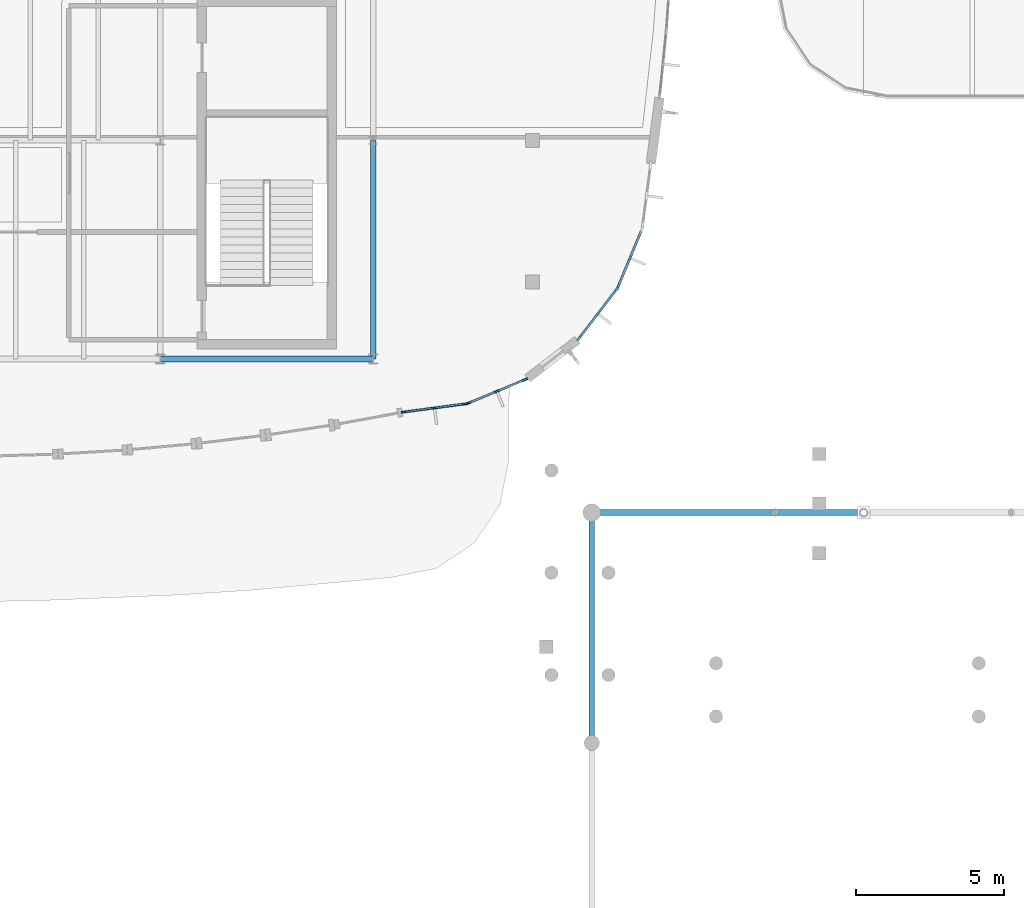
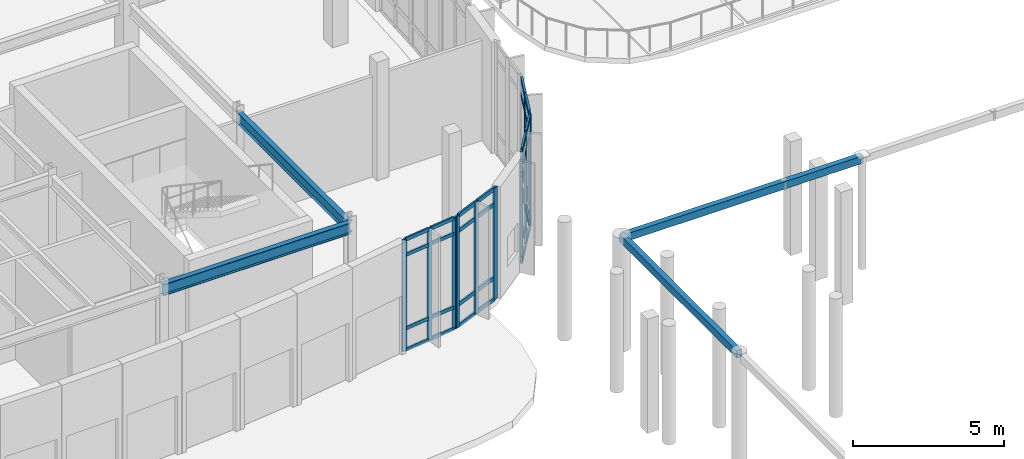
# One storey, part 41 of 120: 43 members, 4 beams, 4 elements without a shape of their own.
"""IFC4 building model written with IfcOpenShell, lengths in metres."""

from ifc_helpers import new_model, si_unit, direction, frame, origin, origin_2d, place, context, subcontext, project, spatial, rectangle, hollow_rectangle, i_section, extrude, material, material_profile, profile_set, type_object, element, aggregate, save


model = new_model("IFC4")

# Units and contexts
model_context = context("Model", 3, precision=1e-05, world=origin(), true_north=direction((0.0, 1.0)))
body_context = subcontext(model_context, "Body", "Model", "MODEL_VIEW")
ifc_project = project(units=[si_unit("LENGTHUNIT", "METRE"), si_unit("AREAUNIT", "SQUARE_METRE"), si_unit("VOLUMEUNIT", "CUBIC_METRE"), si_unit("PLANEANGLEUNIT", "RADIAN"), si_unit("MASSUNIT", "GRAM", prefix="KILO")], contexts=[model_context])

# Site, building, storey
site_placement = place(None, origin())
site = spatial("IfcSite", under=ifc_project, at=site_placement, CompositionType="ELEMENT")
building_placement = place(site_placement, origin())
building = spatial("IfcBuilding", under=site, at=building_placement, Name="Corveleigh Park Community Centre", CompositionType="ELEMENT")
storey_placement = place(building_placement, origin())
storey = spatial("IfcBuildingStorey", under=building, at=storey_placement, Name="L00", CompositionType="ELEMENT", Elevation=0.0)

# Beams
ifc_material_1 = material(Name="Steel S355", Category="steel")
ifc_material_profile_1 = material_profile(ifc_material_1, i_section(OverallWidth=0.1904296875, OverallDepth=0.45703125, WebThickness=0.009033203125, FlangeThickness=0.014404296875, at=origin_2d()), Name="UKB 457x191x74", Category="steel")
ifc_profile_set_1 = profile_set([ifc_material_profile_1], Name="Steel S355")
beam_type_1 = type_object("IfcBeamType", Name="BM-STL-UKB457x74", PredefinedType="BEAM", material=ifc_profile_set_1)
beam_1_placement = place(storey_placement, frame((46.39990234375, 78.0048828125, 4.298583984375), z_axis=(0.0, 1.0, 0.0), x_axis=(-1.0, 0.0, 0.0)))
element("IfcBeam", 1, at=beam_1_placement, inside=storey, type_object=beam_type_1, Name="V2 Studio Girder Y", PredefinedType="BEAM", context=body_context, shape_type="SweptSolid", body=[
    extrude(i_section(OverallWidth=0.1904296875, OverallDepth=0.45703125, WebThickness=0.009033203125, FlangeThickness=0.014404296875, at=origin_2d()), origin(), (0.0, 0.0, 1.0), 7.39013671875),
])
ifc_material_profile_2 = material_profile(ifc_material_1, i_section(OverallWidth=0.19140625, OverallDepth=0.4599609375, WebThickness=0.010009765625, FlangeThickness=0.01611328125, at=origin_2d()), Name="UKB 457x191x82", Category="steel")
ifc_profile_set_2 = profile_set([ifc_material_profile_2], Name="Steel S355")
beam_type_2 = type_object("IfcBeamType", Name="BM-STL-UKB457x82", PredefinedType="BEAM", material=ifc_profile_set_2)
beam_2_placement = place(storey_placement, frame((39.205078125, 78.0, 4.297119140625), z_axis=(1.0, 0.0, 0.0), x_axis=(0.0, 1.0, 0.0)))
element("IfcBeam", 2, at=beam_2_placement, inside=storey, type_object=beam_type_2, Name="V2 Studio Girder X", PredefinedType="BEAM", context=body_context, shape_type="SweptSolid", body=[
    extrude(i_section(OverallWidth=0.19140625, OverallDepth=0.4599609375, WebThickness=0.010009765625, FlangeThickness=0.01611328125, at=origin_2d()), origin(), (0.0, 0.0, 1.0), 7.18994140625),
])

# Curtain wall, members
ifc_material_2 = material(Name="Anodised aluminium 6063-T6", Category="aluminium")
curtain_wall_type = type_object("IfcCurtainWallType", Name="CW-SYS-V2-L00", PredefinedType="NOTDEFINED", material=ifc_material_2)
curtain_wall_1_placement = place(storey_placement, origin())
curtain_wall_1 = element("IfcCurtainWall", 3, at=curtain_wall_1_placement, inside=storey, type_object=curtain_wall_type, Name="V2 L00 Curtain Wall 32", PredefinedType="NOTDEFINED")
ifc_material_profile_3 = material_profile(ifc_material_2, rectangle(XDim=0.06494140625, YDim=0.179931640625, at=origin_2d()), Name="ALU-M65x180", Category="aluminium")
ifc_profile_set_3 = profile_set([ifc_material_profile_3], Name="Anodised aluminium 6063-T6")
member_type_1 = type_object("IfcMemberType", Name="CWM-65x180", PredefinedType="MULLION", material=ifc_profile_set_3)
member_1_placement = place(storey_placement, frame((49.509765625, 76.477783203125, 0.0), z_axis=(0.0, 0.0, 1.0), x_axis=(0.130731305458, -0.991417836118, 0.0)))
member_1 = element("IfcMember", 4, at=member_1_placement, type_object=member_type_1, Name="CW03 mullion 1", PredefinedType="MULLION", context=body_context, shape_type="SweptSolid", body=[
    extrude(rectangle(XDim=0.06494140625, YDim=0.179931640625, at=origin_2d()), origin(), (0.0, 0.0, 1.0), 4.527099609375),
])
member_2_placement = place(storey_placement, frame((48.4765625, 76.341552734375, 0.0), z_axis=(0.0, 0.0, 1.0), x_axis=(0.130731305458, -0.991417836118, 0.0)))
member_2 = element("IfcMember", 5, at=member_2_placement, type_object=member_type_1, Name="CW03 mullion 2", PredefinedType="MULLION", context=body_context, shape_type="SweptSolid", body=[
    extrude(rectangle(XDim=0.06494140625, YDim=0.179931640625, at=origin_2d()), origin(), (0.0, 0.0, 1.0), 4.527099609375),
])
member_3_placement = place(storey_placement, frame((47.443115234375, 76.205322265625, 0.0), z_axis=(0.0, 0.0, 1.0), x_axis=(0.130731305458, -0.991417836118, 0.0)))
member_3 = element("IfcMember", 6, at=member_3_placement, type_object=member_type_1, Name="CW03 mullion 3", PredefinedType="MULLION", context=body_context, shape_type="SweptSolid", body=[
    extrude(rectangle(XDim=0.06494140625, YDim=0.179931640625, at=origin_2d()), origin(), (0.0, 0.0, 1.0), 4.527099609375),
])

curtain_wall_2_placement = place(storey_placement, origin())
curtain_wall_2 = element("IfcCurtainWall", 7, at=curtain_wall_2_placement, inside=storey, type_object=curtain_wall_type, Name="V2 L00 Curtain Wall 33", PredefinedType="NOTDEFINED")
ifc_material_profile_4 = material_profile(ifc_material_2, rectangle(XDim=0.070068359375, YDim=0.199951171875, at=origin_2d()), Name="ALU-M70x200", Category="aluminium")
ifc_profile_set_4 = profile_set([ifc_material_profile_4], Name="Anodised aluminium 6063-T6")
member_type_2 = type_object("IfcMemberType", Name="CWM-70x200", PredefinedType="MULLION", material=ifc_profile_set_4)
member_4_placement = place(storey_placement, frame((51.53759765625, 77.299560546875, 0.0), z_axis=(0.0, 0.0, 1.0), x_axis=(0.382946568059, -0.923770494231, 0.0)))
member_4 = element("IfcMember", 8, at=member_4_placement, type_object=member_type_2, Name="CW03 mullion 1", PredefinedType="MULLION", context=body_context, shape_type="SweptSolid", body=[
    extrude(rectangle(XDim=0.070068359375, YDim=0.199951171875, at=origin_2d()), origin(), (0.0, 0.0, 1.0), 4.527099609375),
])
member_5_placement = place(storey_placement, frame((50.5869140625, 76.905517578125, 0.0), z_axis=(0.0, 0.0, 1.0), x_axis=(0.382946568059, -0.923770494231, 0.0)))
member_5 = element("IfcMember", 9, at=member_5_placement, type_object=member_type_2, Name="CW03 mullion 2", PredefinedType="MULLION", context=body_context, shape_type="SweptSolid", body=[
    extrude(rectangle(XDim=0.070068359375, YDim=0.199951171875, at=origin_2d()), origin(), (0.0, 0.0, 1.0), 4.527099609375),
])
member_6_placement = place(storey_placement, frame((49.63623046875, 76.511474609375, 0.0), z_axis=(0.0, 0.0, 1.0), x_axis=(0.382946568059, -0.923770494231, 0.0)))
member_6 = element("IfcMember", 10, at=member_6_placement, type_object=member_type_2, Name="CW03 mullion 3", PredefinedType="MULLION", context=body_context, shape_type="SweptSolid", body=[
    extrude(rectangle(XDim=0.070068359375, YDim=0.199951171875, at=origin_2d()), origin(), (0.0, 0.0, 1.0), 4.527099609375),
])

curtain_wall_3_placement = place(storey_placement, origin())
curtain_wall_3 = element("IfcCurtainWall", 11, at=curtain_wall_3_placement, inside=storey, type_object=curtain_wall_type, Name="V2 L00 Curtain Wall 34", PredefinedType="NOTDEFINED")
ifc_material_profile_5 = material_profile(ifc_material_2, rectangle(XDim=0.074951171875, YDim=0.219970703125, at=origin_2d()), Name="ALU-M75x220", Category="aluminium")
ifc_profile_set_5 = profile_set([ifc_material_profile_5], Name="Anodised aluminium 6063-T6")
member_type_3 = type_object("IfcMemberType", Name="CWM-75x220", PredefinedType="MULLION", material=ifc_profile_set_5)
member_7_placement = place(storey_placement, frame((54.633056640625, 80.34521484375, 0.0), z_axis=(0.0, 0.0, 1.0), x_axis=(0.793304053581, -0.608825655317, 0.0)))
member_7 = element("IfcMember", 12, at=member_7_placement, type_object=member_type_3, Name="CW03 mullion 1", PredefinedType="MULLION", context=body_context, shape_type="SweptSolid", body=[
    extrude(rectangle(XDim=0.074951171875, YDim=0.219970703125, at=origin_2d()), origin(), (0.0, 0.0, 1.0), 4.527099609375),
])
member_8_placement = place(storey_placement, frame((54.007568359375, 79.530029296875, 0.0), z_axis=(0.0, 0.0, 1.0), x_axis=(0.793304053581, -0.608825655317, 0.0)))
member_8 = element("IfcMember", 13, at=member_8_placement, type_object=member_type_3, Name="CW03 mullion 2", PredefinedType="MULLION", context=body_context, shape_type="SweptSolid", body=[
    extrude(rectangle(XDim=0.074951171875, YDim=0.219970703125, at=origin_2d()), origin(), (0.0, 0.0, 1.0), 4.527099609375),
])
member_9_placement = place(storey_placement, frame((53.3818359375, 78.71484375, 0.0), z_axis=(0.0, 0.0, 1.0), x_axis=(0.793304053581, -0.608825655317, 0.0)))
member_9 = element("IfcMember", 14, at=member_9_placement, type_object=member_type_3, Name="CW03 mullion 3", PredefinedType="MULLION", context=body_context, shape_type="SweptSolid", body=[
    extrude(rectangle(XDim=0.074951171875, YDim=0.219970703125, at=origin_2d()), origin(), (0.0, 0.0, 1.0), 4.527099609375),
])

curtain_wall_4_placement = place(storey_placement, origin())
curtain_wall_4 = element("IfcCurtainWall", 15, at=curtain_wall_4_placement, inside=storey, type_object=curtain_wall_type, Name="V2 L00 Curtain Wall 35", PredefinedType="NOTDEFINED")
ifc_material_profile_6 = material_profile(ifc_material_2, rectangle(XDim=0.080078125, YDim=0.25, at=origin_2d()), Name="ALU-M80x250", Category="aluminium")
ifc_profile_set_6 = profile_set([ifc_material_profile_6], Name="Anodised aluminium 6063-T6")
member_type_4 = type_object("IfcMemberType", Name="CWM-80x250", PredefinedType="MULLION", material=ifc_profile_set_6)
member_10_placement = place(storey_placement, frame((55.094482421875, 81.4130859375, 0.0), z_axis=(0.0, 0.0, 1.0), x_axis=(0.923770494231, -0.382946568059, 0.0)))
member_10 = element("IfcMember", 16, at=member_10_placement, type_object=member_type_4, Name="CW03 mullion 2", PredefinedType="MULLION", context=body_context, shape_type="SweptSolid", body=[
    extrude(rectangle(XDim=0.080078125, YDim=0.25, at=origin_2d()), origin(), (0.0, 0.0, 1.0), 4.527099609375),
])
member_11_placement = place(storey_placement, frame((54.702392578125, 80.467041015625, 0.0), z_axis=(0.0, 0.0, 1.0), x_axis=(0.923770494231, -0.382946568059, 0.0)))
member_11 = element("IfcMember", 17, at=member_11_placement, type_object=member_type_4, Name="CW03 mullion 3", PredefinedType="MULLION", context=body_context, shape_type="SweptSolid", body=[
    extrude(rectangle(XDim=0.080078125, YDim=0.25, at=origin_2d()), origin(), (0.0, 0.0, 1.0), 4.527099609375),
])

# Member
ifc_material_profile_7 = material_profile(ifc_material_2, rectangle(XDim=0.06494140625, YDim=0.139892578125, at=origin_2d()), Name="ALU-T65x140", Category="aluminium")
ifc_profile_set_7 = profile_set([ifc_material_profile_7], Name="Anodised aluminium 6063-T6")
member_type_5 = type_object("IfcMemberType", Name="CWT-65x140", PredefinedType="USERDEFINED", material=ifc_profile_set_7)
member_12_placement = place(storey_placement, frame((49.4775390625, 76.473388671875, 0.032470703125), z_axis=(-0.991425356703, -0.130674259465, 0.0), x_axis=(0.130674259465, -0.991425356703, 0.0)))
member_12 = element("IfcMember", 18, at=member_12_placement, type_object=member_type_5, Name="CW03 transom 1.1", ObjectType="TRANSOM", PredefinedType="USERDEFINED", context=body_context, shape_type="SweptSolid", body=[
    extrude(rectangle(XDim=0.06494140625, YDim=0.139892578125, at=origin_2d()), origin(), (0.0, 0.0, 1.0), 0.97705078125),
])

member_13_placement = place(storey_placement, frame((49.4775390625, 76.473388671875, 0.89990234375), z_axis=(-0.991425356703, -0.130674259465, 0.0), x_axis=(0.130674259465, -0.991425356703, 0.0)))
member_13 = element("IfcMember", 19, at=member_13_placement, type_object=member_type_5, Name="CW03 transom 1.2", ObjectType="TRANSOM", PredefinedType="USERDEFINED", context=body_context, shape_type="SweptSolid", body=[
    extrude(rectangle(XDim=0.06494140625, YDim=0.139892578125, at=origin_2d()), origin(), (0.0, 0.0, 1.0), 0.97705078125),
])

member_14_placement = place(storey_placement, frame((49.4775390625, 76.473388671875, 3.876953125), z_axis=(-0.991425356703, -0.130674259465, 0.0), x_axis=(0.130674259465, -0.991425356703, 0.0)))
member_14 = element("IfcMember", 20, at=member_14_placement, type_object=member_type_5, Name="CW03 transom 1.3", ObjectType="TRANSOM", PredefinedType="USERDEFINED", context=body_context, shape_type="SweptSolid", body=[
    extrude(rectangle(XDim=0.06494140625, YDim=0.139892578125, at=origin_2d()), origin(), (0.0, 0.0, 1.0), 0.97705078125),
])

member_15_placement = place(storey_placement, frame((49.4775390625, 76.473388671875, 4.494384765625), z_axis=(-0.991425356703, -0.130674259465, 0.0), x_axis=(0.130674259465, -0.991425356703, 0.0)))
member_15 = element("IfcMember", 21, at=member_15_placement, type_object=member_type_5, Name="CW03 transom 1.4", ObjectType="TRANSOM", PredefinedType="USERDEFINED", context=body_context, shape_type="SweptSolid", body=[
    extrude(rectangle(XDim=0.06494140625, YDim=0.139892578125, at=origin_2d()), origin(), (0.0, 0.0, 1.0), 0.97705078125),
])

member_16_placement = place(storey_placement, frame((48.4443359375, 76.337158203125, 0.032470703125), z_axis=(-0.991429621586, -0.13064189773, 0.0), x_axis=(0.13064189773, -0.991429621586, 0.0)))
member_16 = element("IfcMember", 22, at=member_16_placement, type_object=member_type_5, Name="CW03 transom 2.1", ObjectType="TRANSOM", PredefinedType="USERDEFINED", context=body_context, shape_type="SweptSolid", body=[
    extrude(rectangle(XDim=0.06494140625, YDim=0.139892578125, at=origin_2d()), origin(), (0.0, 0.0, 1.0), 0.977294921875),
])

member_17_placement = place(storey_placement, frame((48.4443359375, 76.337158203125, 0.89990234375), z_axis=(-0.991429621586, -0.13064189773, 0.0), x_axis=(0.13064189773, -0.991429621586, 0.0)))
member_17 = element("IfcMember", 23, at=member_17_placement, type_object=member_type_5, Name="CW03 transom 2.2", ObjectType="TRANSOM", PredefinedType="USERDEFINED", context=body_context, shape_type="SweptSolid", body=[
    extrude(rectangle(XDim=0.06494140625, YDim=0.139892578125, at=origin_2d()), origin(), (0.0, 0.0, 1.0), 0.977294921875),
])

member_18_placement = place(storey_placement, frame((48.4443359375, 76.337158203125, 3.876953125), z_axis=(-0.991429621586, -0.13064189773, 0.0), x_axis=(0.13064189773, -0.991429621586, 0.0)))
member_18 = element("IfcMember", 24, at=member_18_placement, type_object=member_type_5, Name="CW03 transom 2.3", ObjectType="TRANSOM", PredefinedType="USERDEFINED", context=body_context, shape_type="SweptSolid", body=[
    extrude(rectangle(XDim=0.06494140625, YDim=0.139892578125, at=origin_2d()), origin(), (0.0, 0.0, 1.0), 0.977294921875),
])

member_19_placement = place(storey_placement, frame((48.4443359375, 76.337158203125, 4.494384765625), z_axis=(-0.991429621586, -0.13064189773, 0.0), x_axis=(0.13064189773, -0.991429621586, 0.0)))
member_19 = element("IfcMember", 25, at=member_19_placement, type_object=member_type_5, Name="CW03 transom 2.4", ObjectType="TRANSOM", PredefinedType="USERDEFINED", context=body_context, shape_type="SweptSolid", body=[
    extrude(rectangle(XDim=0.06494140625, YDim=0.139892578125, at=origin_2d()), origin(), (0.0, 0.0, 1.0), 0.977294921875),
])

aggregate(curtain_wall_1, [member_1, member_2, member_3, member_12, member_13, member_14, member_15, member_16, member_17, member_18, member_19])

ifc_material_profile_8 = material_profile(ifc_material_2, rectangle(XDim=0.070068359375, YDim=0.155029296875, at=origin_2d()), Name="ALU-T70x155", Category="aluminium")
ifc_profile_set_8 = profile_set([ifc_material_profile_8], Name="Anodised aluminium 6063-T6")
member_type_6 = type_object("IfcMemberType", Name="CWT-70x155", PredefinedType="USERDEFINED", material=ifc_profile_set_8)
member_20_placement = place(storey_placement, frame((51.50537109375, 77.2861328125, 0.034912109375), z_axis=(-0.923805805925, -0.382861375616, 0.0), x_axis=(0.382861375616, -0.923805805925, 0.0)))
member_20 = element("IfcMember", 26, at=member_20_placement, type_object=member_type_6, Name="CW03 transom 1.1", ObjectType="TRANSOM", PredefinedType="USERDEFINED", context=body_context, shape_type="SweptSolid", body=[
    extrude(rectangle(XDim=0.070068359375, YDim=0.155029296875, at=origin_2d()), origin(), (0.0, 0.0, 1.0), 0.958984375),
])

member_21_placement = place(storey_placement, frame((51.50537109375, 77.2861328125, 0.89990234375), z_axis=(-0.923805805925, -0.382861375616, 0.0), x_axis=(0.382861375616, -0.923805805925, 0.0)))
member_21 = element("IfcMember", 27, at=member_21_placement, type_object=member_type_6, Name="CW03 transom 1.2", ObjectType="TRANSOM", PredefinedType="USERDEFINED", context=body_context, shape_type="SweptSolid", body=[
    extrude(rectangle(XDim=0.070068359375, YDim=0.155029296875, at=origin_2d()), origin(), (0.0, 0.0, 1.0), 0.958984375),
])

member_22_placement = place(storey_placement, frame((51.50537109375, 77.2861328125, 3.876953125), z_axis=(-0.923805805925, -0.382861375616, 0.0), x_axis=(0.382861375616, -0.923805805925, 0.0)))
member_22 = element("IfcMember", 28, at=member_22_placement, type_object=member_type_6, Name="CW03 transom 1.3", ObjectType="TRANSOM", PredefinedType="USERDEFINED", context=body_context, shape_type="SweptSolid", body=[
    extrude(rectangle(XDim=0.070068359375, YDim=0.155029296875, at=origin_2d()), origin(), (0.0, 0.0, 1.0), 0.958984375),
])

member_23_placement = place(storey_placement, frame((51.50537109375, 77.2861328125, 4.491943359375), z_axis=(-0.923805805925, -0.382861375616, 0.0), x_axis=(0.382861375616, -0.923805805925, 0.0)))
member_23 = element("IfcMember", 29, at=member_23_placement, type_object=member_type_6, Name="CW03 transom 1.4", ObjectType="TRANSOM", PredefinedType="USERDEFINED", context=body_context, shape_type="SweptSolid", body=[
    extrude(rectangle(XDim=0.070068359375, YDim=0.155029296875, at=origin_2d()), origin(), (0.0, 0.0, 1.0), 0.958984375),
])

member_24_placement = place(storey_placement, frame((50.5546875, 76.89208984375, 0.034912109375), z_axis=(-0.923805805925, -0.382861375616, 0.0), x_axis=(0.382861375616, -0.923805805925, 0.0)))
member_24 = element("IfcMember", 30, at=member_24_placement, type_object=member_type_6, Name="CW03 transom 2.1", ObjectType="TRANSOM", PredefinedType="USERDEFINED", context=body_context, shape_type="SweptSolid", body=[
    extrude(rectangle(XDim=0.070068359375, YDim=0.155029296875, at=origin_2d()), origin(), (0.0, 0.0, 1.0), 0.958984375),
])

member_25_placement = place(storey_placement, frame((50.5546875, 76.89208984375, 0.89990234375), z_axis=(-0.923805805925, -0.382861375616, 0.0), x_axis=(0.382861375616, -0.923805805925, 0.0)))
member_25 = element("IfcMember", 31, at=member_25_placement, type_object=member_type_6, Name="CW03 transom 2.2", ObjectType="TRANSOM", PredefinedType="USERDEFINED", context=body_context, shape_type="SweptSolid", body=[
    extrude(rectangle(XDim=0.070068359375, YDim=0.155029296875, at=origin_2d()), origin(), (0.0, 0.0, 1.0), 0.958984375),
])

member_26_placement = place(storey_placement, frame((50.5546875, 76.89208984375, 3.876953125), z_axis=(-0.923805805925, -0.382861375616, 0.0), x_axis=(0.382861375616, -0.923805805925, 0.0)))
member_26 = element("IfcMember", 32, at=member_26_placement, type_object=member_type_6, Name="CW03 transom 2.3", ObjectType="TRANSOM", PredefinedType="USERDEFINED", context=body_context, shape_type="SweptSolid", body=[
    extrude(rectangle(XDim=0.070068359375, YDim=0.155029296875, at=origin_2d()), origin(), (0.0, 0.0, 1.0), 0.958984375),
])

member_27_placement = place(storey_placement, frame((50.5546875, 76.89208984375, 4.491943359375), z_axis=(-0.923805805925, -0.382861375616, 0.0), x_axis=(0.382861375616, -0.923805805925, 0.0)))
member_27 = element("IfcMember", 33, at=member_27_placement, type_object=member_type_6, Name="CW03 transom 2.4", ObjectType="TRANSOM", PredefinedType="USERDEFINED", context=body_context, shape_type="SweptSolid", body=[
    extrude(rectangle(XDim=0.070068359375, YDim=0.155029296875, at=origin_2d()), origin(), (0.0, 0.0, 1.0), 0.958984375),
])

aggregate(curtain_wall_2, [member_4, member_5, member_6, member_20, member_21, member_22, member_23, member_24, member_25, member_26, member_27])

ifc_material_profile_9 = material_profile(ifc_material_2, rectangle(XDim=0.074951171875, YDim=0.175048828125, at=origin_2d()), Name="ALU-T75x175", Category="aluminium")
ifc_profile_set_9 = profile_set([ifc_material_profile_9], Name="Anodised aluminium 6063-T6")
member_type_7 = type_object("IfcMemberType", Name="CWT-75x175", PredefinedType="USERDEFINED", material=ifc_profile_set_9)
member_28_placement = place(storey_placement, frame((54.6103515625, 80.3154296875, 0.03759765625), z_axis=(-0.608942560583, -0.793214320288, 0.0), x_axis=(0.793214320288, -0.608942560583, 0.0)))
member_28 = element("IfcMember", 34, at=member_28_placement, type_object=member_type_7, Name="CW03 transom 1.1", ObjectType="TRANSOM", PredefinedType="USERDEFINED", context=body_context, shape_type="SweptSolid", body=[
    extrude(rectangle(XDim=0.074951171875, YDim=0.175048828125, at=origin_2d()), origin(), (0.0, 0.0, 1.0), 0.95263671875),
])

member_29_placement = place(storey_placement, frame((54.6103515625, 80.3154296875, 0.89990234375), z_axis=(-0.608942560583, -0.793214320288, 0.0), x_axis=(0.793214320288, -0.608942560583, 0.0)))
member_29 = element("IfcMember", 35, at=member_29_placement, type_object=member_type_7, Name="CW03 transom 1.2", ObjectType="TRANSOM", PredefinedType="USERDEFINED", context=body_context, shape_type="SweptSolid", body=[
    extrude(rectangle(XDim=0.074951171875, YDim=0.175048828125, at=origin_2d()), origin(), (0.0, 0.0, 1.0), 0.95263671875),
])

member_30_placement = place(storey_placement, frame((54.6103515625, 80.3154296875, 3.876953125), z_axis=(-0.608942560583, -0.793214320288, 0.0), x_axis=(0.793214320288, -0.608942560583, 0.0)))
member_30 = element("IfcMember", 36, at=member_30_placement, type_object=member_type_7, Name="CW03 transom 1.3", ObjectType="TRANSOM", PredefinedType="USERDEFINED", context=body_context, shape_type="SweptSolid", body=[
    extrude(rectangle(XDim=0.074951171875, YDim=0.175048828125, at=origin_2d()), origin(), (0.0, 0.0, 1.0), 0.95263671875),
])

member_31_placement = place(storey_placement, frame((54.6103515625, 80.3154296875, 4.489501953125), z_axis=(-0.608942560583, -0.793214320288, 0.0), x_axis=(0.793214320288, -0.608942560583, 0.0)))
member_31 = element("IfcMember", 37, at=member_31_placement, type_object=member_type_7, Name="CW03 transom 1.4", ObjectType="TRANSOM", PredefinedType="USERDEFINED", context=body_context, shape_type="SweptSolid", body=[
    extrude(rectangle(XDim=0.074951171875, YDim=0.175048828125, at=origin_2d()), origin(), (0.0, 0.0, 1.0), 0.95263671875),
])

member_32_placement = place(storey_placement, frame((53.984619140625, 79.500244140625, 0.03759765625), z_axis=(-0.608818785139, -0.79330932609, 0.0), x_axis=(0.79330932609, -0.608818785139, 0.0)))
member_32 = element("IfcMember", 38, at=member_32_placement, type_object=member_type_7, Name="CW03 transom 2.1", ObjectType="TRANSOM", PredefinedType="USERDEFINED", context=body_context, shape_type="SweptSolid", body=[
    extrude(rectangle(XDim=0.074951171875, YDim=0.175048828125, at=origin_2d()), origin(), (0.0, 0.0, 1.0), 0.952880859375),
])

member_33_placement = place(storey_placement, frame((53.984619140625, 79.500244140625, 0.89990234375), z_axis=(-0.608818785139, -0.79330932609, 0.0), x_axis=(0.79330932609, -0.608818785139, 0.0)))
member_33 = element("IfcMember", 39, at=member_33_placement, type_object=member_type_7, Name="CW03 transom 2.2", ObjectType="TRANSOM", PredefinedType="USERDEFINED", context=body_context, shape_type="SweptSolid", body=[
    extrude(rectangle(XDim=0.074951171875, YDim=0.175048828125, at=origin_2d()), origin(), (0.0, 0.0, 1.0), 0.952880859375),
])

member_34_placement = place(storey_placement, frame((53.984619140625, 79.500244140625, 3.876953125), z_axis=(-0.608818785139, -0.79330932609, 0.0), x_axis=(0.79330932609, -0.608818785139, 0.0)))
member_34 = element("IfcMember", 40, at=member_34_placement, type_object=member_type_7, Name="CW03 transom 2.3", ObjectType="TRANSOM", PredefinedType="USERDEFINED", context=body_context, shape_type="SweptSolid", body=[
    extrude(rectangle(XDim=0.074951171875, YDim=0.175048828125, at=origin_2d()), origin(), (0.0, 0.0, 1.0), 0.952880859375),
])

member_35_placement = place(storey_placement, frame((53.984619140625, 79.500244140625, 4.489501953125), z_axis=(-0.608818785139, -0.79330932609, 0.0), x_axis=(0.79330932609, -0.608818785139, 0.0)))
member_35 = element("IfcMember", 41, at=member_35_placement, type_object=member_type_7, Name="CW03 transom 2.4", ObjectType="TRANSOM", PredefinedType="USERDEFINED", context=body_context, shape_type="SweptSolid", body=[
    extrude(rectangle(XDim=0.074951171875, YDim=0.175048828125, at=origin_2d()), origin(), (0.0, 0.0, 1.0), 0.952880859375),
])

aggregate(curtain_wall_3, [member_7, member_8, member_9, member_28, member_29, member_30, member_31, member_32, member_33, member_34, member_35])

ifc_material_profile_10 = material_profile(ifc_material_2, rectangle(XDim=0.080078125, YDim=0.195068359375, at=origin_2d()), Name="ALU-T80x195", Category="aluminium")
ifc_profile_set_10 = profile_set([ifc_material_profile_10], Name="Anodised aluminium 6063-T6")
member_type_8 = type_object("IfcMemberType", Name="CWT-80x195", PredefinedType="USERDEFINED", material=ifc_profile_set_10)
member_36_placement = place(storey_placement, frame((55.471435546875, 82.322021484375, 0.0400390625), z_axis=(-0.382998876033, -0.923748808366, 0.0), x_axis=(0.923748808366, -0.382998876033, 0.0)))
member_36 = element("IfcMember", 42, at=member_36_placement, type_object=member_type_8, Name="CW03 transom 1.1", ObjectType="TRANSOM", PredefinedType="USERDEFINED", context=body_context, shape_type="SweptSolid", body=[
    extrude(rectangle(XDim=0.080078125, YDim=0.195068359375, at=origin_2d()), origin(), (0.0, 0.0, 1.0), 0.944091796875),
])

member_37_placement = place(storey_placement, frame((55.471435546875, 82.322021484375, 0.89990234375), z_axis=(-0.382998876033, -0.923748808366, 0.0), x_axis=(0.923748808366, -0.382998876033, 0.0)))
member_37 = element("IfcMember", 43, at=member_37_placement, type_object=member_type_8, Name="CW03 transom 1.2", ObjectType="TRANSOM", PredefinedType="USERDEFINED", context=body_context, shape_type="SweptSolid", body=[
    extrude(rectangle(XDim=0.080078125, YDim=0.195068359375, at=origin_2d()), origin(), (0.0, 0.0, 1.0), 0.944091796875),
])

member_38_placement = place(storey_placement, frame((55.471435546875, 82.322021484375, 3.876953125), z_axis=(-0.382998876033, -0.923748808366, 0.0), x_axis=(0.923748808366, -0.382998876033, 0.0)))
member_38 = element("IfcMember", 44, at=member_38_placement, type_object=member_type_8, Name="CW03 transom 1.3", ObjectType="TRANSOM", PredefinedType="USERDEFINED", context=body_context, shape_type="SweptSolid", body=[
    extrude(rectangle(XDim=0.080078125, YDim=0.195068359375, at=origin_2d()), origin(), (0.0, 0.0, 1.0), 0.944091796875),
])

member_39_placement = place(storey_placement, frame((55.471435546875, 82.322021484375, 4.487060546875), z_axis=(-0.382998876033, -0.923748808366, 0.0), x_axis=(0.923748808366, -0.382998876033, 0.0)))
member_39 = element("IfcMember", 45, at=member_39_placement, type_object=member_type_8, Name="CW03 transom 1.4", ObjectType="TRANSOM", PredefinedType="USERDEFINED", context=body_context, shape_type="SweptSolid", body=[
    extrude(rectangle(XDim=0.080078125, YDim=0.195068359375, at=origin_2d()), origin(), (0.0, 0.0, 1.0), 0.944091796875),
])

member_40_placement = place(storey_placement, frame((55.0791015625, 81.3759765625, 0.0400390625), z_axis=(-0.382998876033, -0.923748808366, 0.0), x_axis=(0.923748808366, -0.382998876033, 0.0)))
member_40 = element("IfcMember", 46, at=member_40_placement, type_object=member_type_8, Name="CW03 transom 2.1", ObjectType="TRANSOM", PredefinedType="USERDEFINED", context=body_context, shape_type="SweptSolid", body=[
    extrude(rectangle(XDim=0.080078125, YDim=0.195068359375, at=origin_2d()), origin(), (0.0, 0.0, 1.0), 0.944091796875),
])

member_41_placement = place(storey_placement, frame((55.0791015625, 81.3759765625, 0.89990234375), z_axis=(-0.382998876033, -0.923748808366, 0.0), x_axis=(0.923748808366, -0.382998876033, 0.0)))
member_41 = element("IfcMember", 47, at=member_41_placement, type_object=member_type_8, Name="CW03 transom 2.2", ObjectType="TRANSOM", PredefinedType="USERDEFINED", context=body_context, shape_type="SweptSolid", body=[
    extrude(rectangle(XDim=0.080078125, YDim=0.195068359375, at=origin_2d()), origin(), (0.0, 0.0, 1.0), 0.944091796875),
])

member_42_placement = place(storey_placement, frame((55.0791015625, 81.3759765625, 3.876953125), z_axis=(-0.382998876033, -0.923748808366, 0.0), x_axis=(0.923748808366, -0.382998876033, 0.0)))
member_42 = element("IfcMember", 48, at=member_42_placement, type_object=member_type_8, Name="CW03 transom 2.3", ObjectType="TRANSOM", PredefinedType="USERDEFINED", context=body_context, shape_type="SweptSolid", body=[
    extrude(rectangle(XDim=0.080078125, YDim=0.195068359375, at=origin_2d()), origin(), (0.0, 0.0, 1.0), 0.944091796875),
])

member_43_placement = place(storey_placement, frame((55.0791015625, 81.3759765625, 4.487060546875), z_axis=(-0.382998876033, -0.923748808366, 0.0), x_axis=(0.923748808366, -0.382998876033, 0.0)))
member_43 = element("IfcMember", 49, at=member_43_placement, type_object=member_type_8, Name="CW03 transom 2.4", ObjectType="TRANSOM", PredefinedType="USERDEFINED", context=body_context, shape_type="SweptSolid", body=[
    extrude(rectangle(XDim=0.080078125, YDim=0.195068359375, at=origin_2d()), origin(), (0.0, 0.0, 1.0), 0.944091796875),
])

aggregate(curtain_wall_4, [member_10, member_11, member_36, member_37, member_38, member_39, member_40, member_41, member_42, member_43])

# Beams
ifc_material_profile_11 = material_profile(ifc_material_1, hollow_rectangle(XDim=0.199951171875, YDim=0.300048828125, WallThickness=0.012451171875, at=origin_2d()), Name="RHS 300x200x12.5", Category="steel")
ifc_profile_set_11 = profile_set([ifc_material_profile_11], Name="Steel S355")
beam_type_3 = type_object("IfcBeamType", Name="SP-STL-RHS300x200", PredefinedType="SPANDREL", material=ifc_profile_set_11)
beam_3_placement = place(storey_placement, frame((53.800048828125, 65.0048828125, 4.449951171875), z_axis=(0.0, 1.0, 0.0), x_axis=(-1.0, 0.0, 0.0)))
element("IfcBeam", 50, at=beam_3_placement, inside=storey, type_object=beam_type_3, Name="Covered Passage Canopy Girder", PredefinedType="SPANDREL", context=body_context, shape_type="SweptSolid", body=[
    extrude(hollow_rectangle(XDim=0.199951171875, YDim=0.300048828125, WallThickness=0.012451171875, at=origin_2d()), origin(), (0.0, 0.0, 1.0), 7.7900390625),
])
beam_4_placement = place(storey_placement, frame((53.804931640625, 72.800048828125, 4.429931640625), z_axis=(1.0, 0.0, 0.0), x_axis=(0.0, 1.0, 0.0)))
element("IfcBeam", 51, at=beam_4_placement, inside=storey, type_object=beam_type_3, Name="Covered Passage Canopy Girder", PredefinedType="SPANDREL", context=body_context, shape_type="SweptSolid", body=[
    extrude(hollow_rectangle(XDim=0.199951171875, YDim=0.300048828125, WallThickness=0.012451171875, at=origin_2d()), origin(), (0.0, 0.0, 1.0), 9.190185546875),
])

save(model, "model.ifc")
